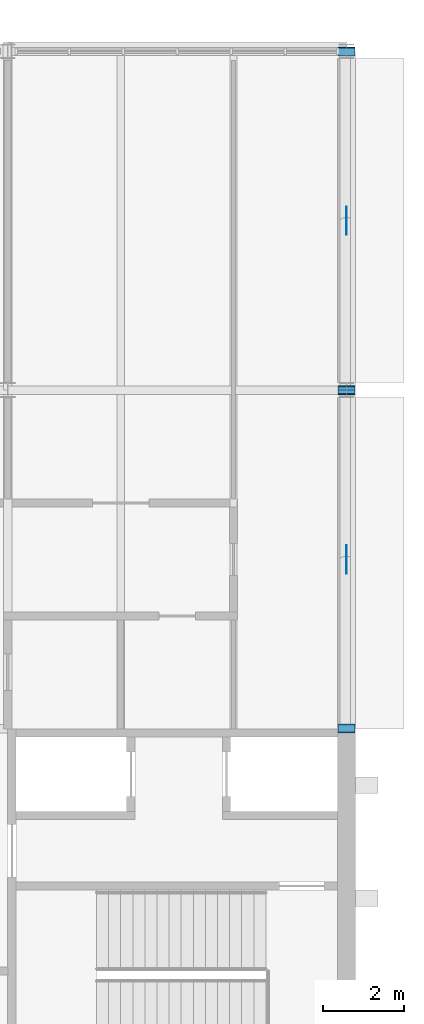
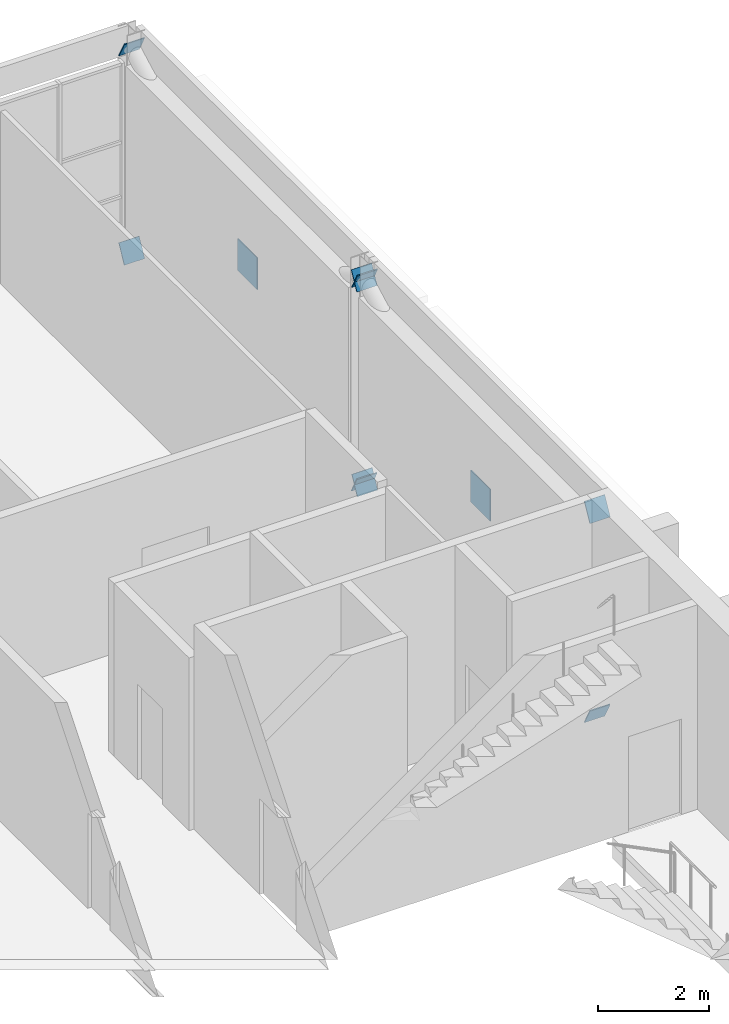
# One storey, part 119 of 121: 10 discrete accessories.
"""IFC4 building model written with IfcOpenShell, lengths in metres."""

from ifc_helpers import new_model, si_unit, direction, frame, origin, origin_2d, place, context, subcontext, project, spatial, rectangle, extrude, material, material_profile, profile_set, type_object, element, save


model = new_model("IFC4")

# Units and contexts
model_context = context("Model", 3, precision=1e-05, world=origin(), true_north=direction((0.0, 1.0)))
body_context = subcontext(model_context, "Body", "Model", "MODEL_VIEW")
ifc_project = project(units=[si_unit("LENGTHUNIT", "METRE"), si_unit("AREAUNIT", "SQUARE_METRE"), si_unit("VOLUMEUNIT", "CUBIC_METRE"), si_unit("PLANEANGLEUNIT", "RADIAN"), si_unit("MASSUNIT", "GRAM", prefix="KILO")], contexts=[model_context])

# Site, building, storey
site_placement = place(None, origin())
site = spatial("IfcSite", under=ifc_project, at=site_placement, CompositionType="ELEMENT")
building_placement = place(site_placement, origin())
building = spatial("IfcBuilding", under=site, at=building_placement, Name="Ardhachandra Cancer Care Centre", CompositionType="ELEMENT")
storey_placement = place(building_placement, frame((0.0, 0.0, 9.0)))
storey = spatial("IfcBuildingStorey", under=building, at=storey_placement, Name="L02", CompositionType="ELEMENT", Elevation=9.0)

# Discrete accessories
ifc_material_1 = material(Name="Steel E250 (IS 2062)", Category="steel")
ifc_material_profile_1 = material_profile(ifc_material_1, rectangle(XDim=0.423828125, YDim=0.423828125, at=origin_2d()), Name="PL 424x424x20")
ifc_profile_set_1 = profile_set([ifc_material_profile_1], Name="Steel E250 (IS 2062)")
discrete_accessory_type_1 = type_object("IfcDiscreteAccessoryType", Name="Brace end plate 424 x 424 x 20", PredefinedType="BRACKET", material=ifc_profile_set_1)
discrete_accessory_1_placement = place(storey_placement, frame((145.199951171875, 88.199951171875, -0.39990234375), z_axis=(0.0, 0.884384752847, 0.466758619558), x_axis=(-1.0, 0.0, 0.0)))
element("IfcDiscreteAccessory", 1, at=discrete_accessory_1_placement, inside=storey, type_object=discrete_accessory_type_1, Name="Brace end plate V5-Y1452-882 L02 A0", PredefinedType="BRACKET", context=body_context, shape_type="SweptSolid", body=[
    extrude(rectangle(XDim=0.423828125, YDim=0.423828125, at=origin_2d()), origin(), (0.0, 0.0, 1.0), 0.019775390625),
])
discrete_accessory_2_placement = place(storey_placement, frame((145.199951171875, 96.60009765625, 4.10009765625), z_axis=(0.0, -0.882018256262, -0.471215232798), x_axis=(1.0, 0.0, 0.0)))
element("IfcDiscreteAccessory", 2, at=discrete_accessory_2_placement, inside=storey, type_object=discrete_accessory_type_1, Name="Brace end plate V5-Y1452-882 L02 A1", PredefinedType="BRACKET", context=body_context, shape_type="SweptSolid", body=[
    extrude(rectangle(XDim=0.423828125, YDim=0.423828125, at=origin_2d()), origin(), (0.0, 0.0, 1.0), 0.020263671875),
])
for number, where, z_axis, x_axis, name in (
    (3, (145.199951171875, 96.60009765625, -0.39990234375), (0.0, -0.887017774073, 0.461735279655), (1.0, 0.0, 0.0), "Brace end plate V5-Y1452-882 L02 B10"),
    (4, (145.199951171875, 88.199951171875, 4.10009765625), (0.0, 0.879291966537, -0.476283148541), (-1.0, 0.0, 0.0), "Brace end plate V5-Y1452-882 L02 B21"),
):
    element("IfcDiscreteAccessory", number, at=place(storey_placement, frame(where, z_axis=z_axis, x_axis=x_axis)), inside=storey, type_object=discrete_accessory_type_1, Name=name, PredefinedType="BRACKET", context=body_context, shape_type="SweptSolid", body=[
        extrude(rectangle(XDim=0.423828125, YDim=0.423828125, at=origin_2d()), origin(), (0.0, 0.0, 1.0), 0.02001953125),
    ])
discrete_accessory_3_placement = place(storey_placement, frame((145.199951171875, 96.60009765625, -0.39990234375), z_axis=(0.0, 0.884384752847, 0.466758619558), x_axis=(-1.0, 0.0, 0.0)))
element("IfcDiscreteAccessory", 5, at=discrete_accessory_3_placement, inside=storey, type_object=discrete_accessory_type_1, Name="Brace end plate V5-Y1452-966 L02 A0", PredefinedType="BRACKET", context=body_context, shape_type="SweptSolid", body=[
    extrude(rectangle(XDim=0.423828125, YDim=0.423828125, at=origin_2d()), origin(), (0.0, 0.0, 1.0), 0.019775390625),
])
discrete_accessory_4_placement = place(storey_placement, frame((145.199951171875, 105.0, 4.10009765625), z_axis=(0.0, -0.879291966537, -0.476283148541), x_axis=(1.0, 0.0, 0.0)))
element("IfcDiscreteAccessory", 6, at=discrete_accessory_4_placement, inside=storey, type_object=discrete_accessory_type_1, Name="Brace end plate V5-Y1452-966 L02 A1", PredefinedType="BRACKET", context=body_context, shape_type="SweptSolid", body=[
    extrude(rectangle(XDim=0.423828125, YDim=0.423828125, at=origin_2d()), origin(), (0.0, 0.0, 1.0), 0.02001953125),
])
discrete_accessory_5_placement = place(storey_placement, frame((145.199951171875, 105.0, -0.39990234375), z_axis=(0.0, -0.884384752847, 0.466758619558), x_axis=(1.0, 0.0, 0.0)))
element("IfcDiscreteAccessory", 7, at=discrete_accessory_5_placement, inside=storey, type_object=discrete_accessory_type_1, Name="Brace end plate V5-Y1452-966 L02 B10", PredefinedType="BRACKET", context=body_context, shape_type="SweptSolid", body=[
    extrude(rectangle(XDim=0.423828125, YDim=0.423828125, at=origin_2d()), origin(), (0.0, 0.0, 1.0), 0.019775390625),
])
discrete_accessory_6_placement = place(storey_placement, frame((145.199951171875, 96.60009765625, 4.10009765625), z_axis=(0.0, 0.879291966537, -0.476283148541), x_axis=(-1.0, 0.0, 0.0)))
element("IfcDiscreteAccessory", 8, at=discrete_accessory_6_placement, inside=storey, type_object=discrete_accessory_type_1, Name="Brace end plate V5-Y1452-966 L02 B21", PredefinedType="BRACKET", context=body_context, shape_type="SweptSolid", body=[
    extrude(rectangle(XDim=0.423828125, YDim=0.423828125, at=origin_2d()), origin(), (0.0, 0.0, 1.0), 0.02001953125),
])
ifc_material_2 = material(Name="Steel E250 (IS 2062)", Category="steel")
ifc_material_profile_2 = material_profile(ifc_material_2, rectangle(XDim=0.699951171875, YDim=0.699951171875, at=origin_2d()), Name="PL 700x700x20")
ifc_profile_set_2 = profile_set([ifc_material_profile_2], Name="Steel E250 (IS 2062)")
discrete_accessory_type_2 = type_object("IfcDiscreteAccessoryType", Name="Brace node plate 700 x 700 x 20", PredefinedType="BRACKET", material=ifc_profile_set_2)
for number, where, z_axis, x_axis, name in (
    (9, (145.18994140625, 92.39990234375, 1.85009765625), (1.0, 0.0, 0.0), (0.0, 1.0, 0.0), "Brace node plate V5-Y1452-882 L02"),
    (10, (145.18994140625, 100.800048828125, 1.85009765625), (1.0, 0.0, 0.0), (0.0, 1.0, 0.0), "Brace node plate V5-Y1452-966 L02"),
):
    element("IfcDiscreteAccessory", number, at=place(storey_placement, frame(where, z_axis=z_axis, x_axis=x_axis)), inside=storey, type_object=discrete_accessory_type_2, Name=name, PredefinedType="BRACKET", context=body_context, shape_type="SweptSolid", body=[
        extrude(rectangle(XDim=0.699951171875, YDim=0.699951171875, at=origin_2d()), origin(), (0.0, 0.0, 1.0), 0.02001953125),
    ])

save(model, "model.ifc")
